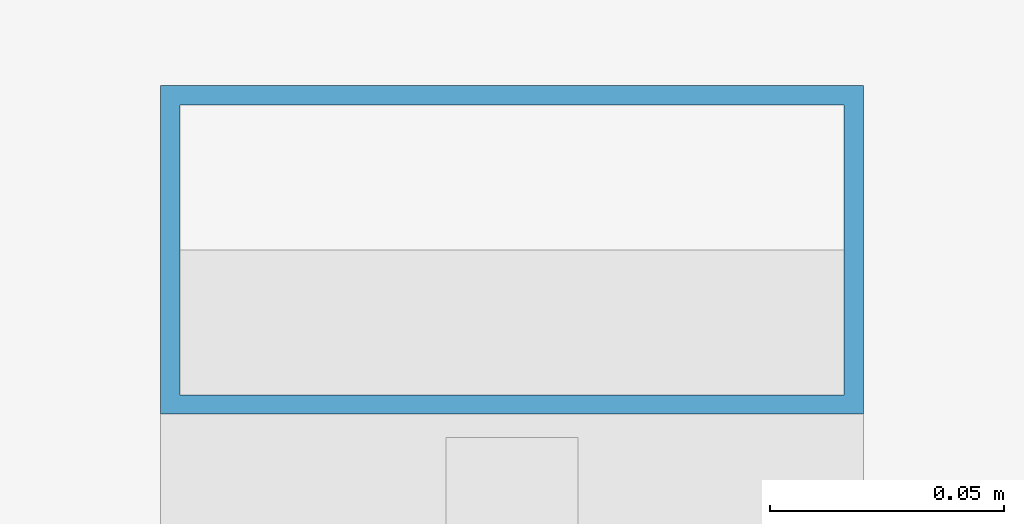
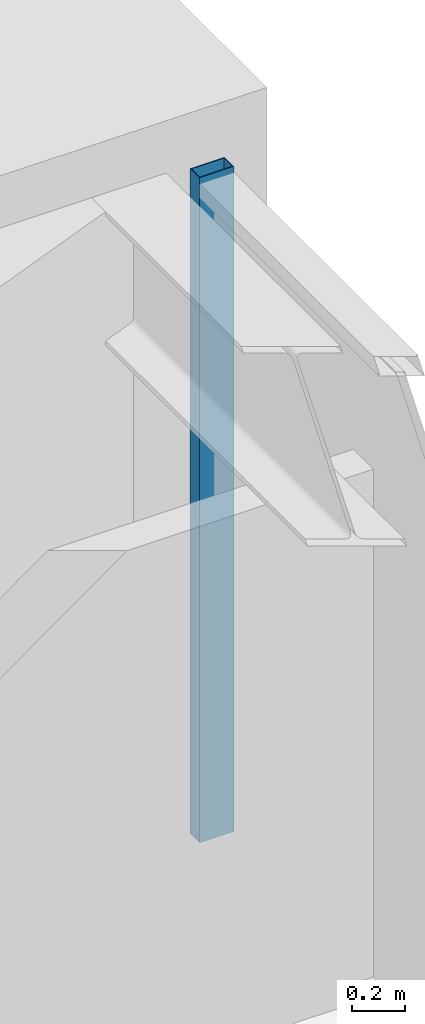
# One storey, part 26 of 39: 1 member, 1 element without a shape of its own.
"""IFC4 building model written with IfcOpenShell, lengths in metres."""

from ifc_helpers import new_model, si_unit, direction, frame, origin, origin_2d, place, context, subcontext, project, spatial, hollow_rectangle, extrude, material, material_profile, profile_set, type_object, element, aggregate, save


model = new_model("IFC4")

# Units and contexts
model_context = context("Model", 3, precision=1e-05, world=origin(), true_north=direction((0.0, 1.0)))
body_context = subcontext(model_context, "Body", "Model", "MODEL_VIEW")
ifc_project = project(units=[si_unit("LENGTHUNIT", "METRE"), si_unit("AREAUNIT", "SQUARE_METRE"), si_unit("VOLUMEUNIT", "CUBIC_METRE"), si_unit("PLANEANGLEUNIT", "RADIAN"), si_unit("MASSUNIT", "GRAM", prefix="KILO")], contexts=[model_context])

# Site, building, storey
site_placement = place(None, origin())
site = spatial("IfcSite", under=ifc_project, at=site_placement, CompositionType="ELEMENT")
building_placement = place(site_placement, origin())
building = spatial("IfcBuilding", under=site, at=building_placement, Name="Kolvaren Belvedere", CompositionType="ELEMENT")
storey_placement = place(building_placement, frame((0.0, 0.0, 40.300048828125)))
storey = spatial("IfcBuildingStorey", under=building, at=storey_placement, Name="L11", CompositionType="ELEMENT", Elevation=40.300048828125)

# Curtain wall, member
ifc_material_1 = material(Name="Anodised pale-metal aluminium AA 6063-T6", Category="aluminium")
curtain_wall_type = type_object("IfcCurtainWallType", Name="CW-Z1-LOW", PredefinedType="NOTDEFINED", material=ifc_material_1)
curtain_wall_placement = place(storey_placement, origin())
curtain_wall = element("IfcCurtainWall", 1, at=curtain_wall_placement, inside=storey, type_object=curtain_wall_type, Name="L11 Unitised Curtain Wall FCW-L11-E1-B1", PredefinedType="NOTDEFINED")
ifc_material_2 = material(Name="Anodised pale-metal aluminium AA 6063-T6", Category="aluminium")
ifc_material_profile = material_profile(ifc_material_2, hollow_rectangle(XDim=0.070068359375, YDim=0.14990234375, WallThickness=0.004150390625, at=origin_2d()), Name="ALU-MUL-150X70")
ifc_profile_set = profile_set([ifc_material_profile], Name="Anodised pale-metal aluminium AA 6063-T6")
member_type = type_object("IfcMemberType", Name="CW-MUL-150", PredefinedType="MULLION", material=ifc_profile_set)
member_placement = place(storey_placement, frame((21.8798828125, 13.7451171875, 0.0), z_axis=(0.0, 0.0, 1.0), x_axis=(0.0, 1.0, 0.0)))
member = element("IfcMember", 2, at=member_placement, type_object=member_type, Name="FCW-L11-E1-B1 Unitised Mullion 1", PredefinedType="MULLION", context=body_context, shape_type="SweptSolid", body=[
    extrude(hollow_rectangle(XDim=0.070068359375, YDim=0.14990234375, WallThickness=0.004150390625, at=origin_2d()), origin(), (0.0, 0.0, 1.0), 3.06005859375),
])
aggregate(curtain_wall, [member])

save(model, "model.ifc")
